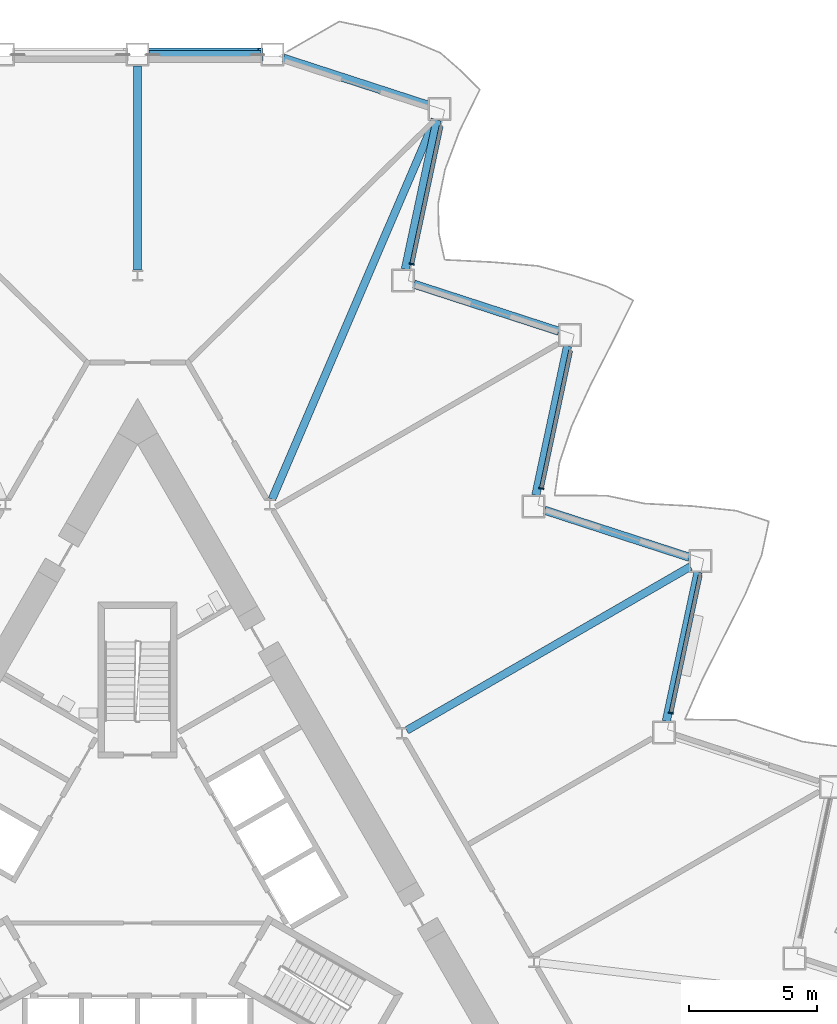
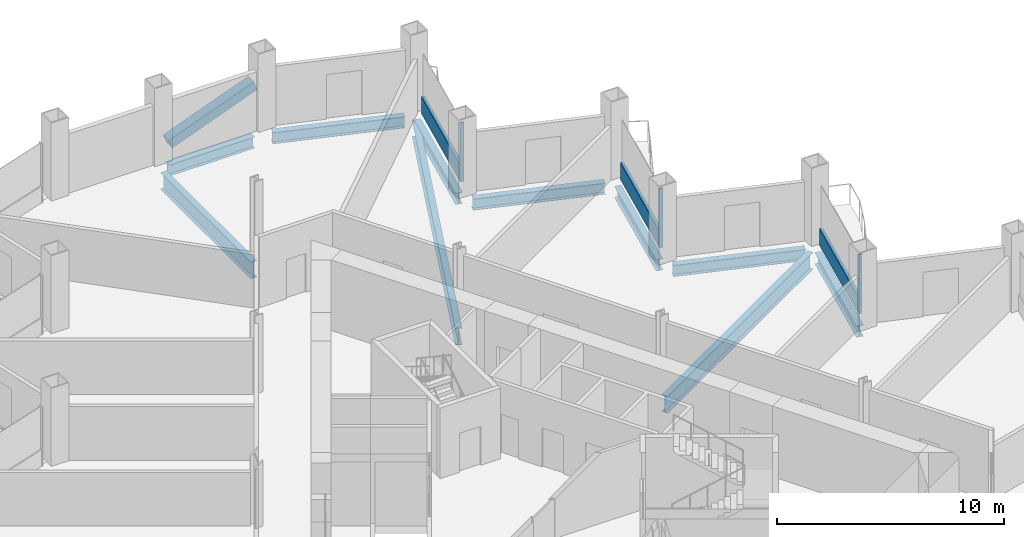
# One storey, part 8 of 21: 10 beams, 7 members, 3 elements without a shape of their own.
"""IFC4 building model written with IfcOpenShell, lengths in metres."""

from ifc_helpers import new_model, si_unit, direction, frame, origin, origin_2d, place, context, subcontext, project, spatial, rectangle, hollow_rectangle, i_section, extrude, material, layer, layer_set, material_profile, profile_set, type_object, element, aggregate, save


model = new_model("IFC4")

# Units and contexts
model_context = context("Model", 3, precision=1e-05, world=origin(), true_north=direction((0.0, 1.0)))
body_context = subcontext(model_context, "Body", "Model", "MODEL_VIEW")
ifc_project = project(units=[si_unit("LENGTHUNIT", "METRE"), si_unit("AREAUNIT", "SQUARE_METRE"), si_unit("VOLUMEUNIT", "CUBIC_METRE"), si_unit("PLANEANGLEUNIT", "RADIAN"), si_unit("MASSUNIT", "GRAM", prefix="KILO")], contexts=[model_context])

# Site, building, storey
site_placement = place(None, origin())
site = spatial("IfcSite", under=ifc_project, at=site_placement, CompositionType="ELEMENT")
building_placement = place(site_placement, origin())
building = spatial("IfcBuilding", under=site, at=building_placement, Name="Cormorant Prow Tower", CompositionType="ELEMENT")
storey_placement = place(building_placement, frame((0.0, 0.0, 141.60009765625)))
storey = spatial("IfcBuildingStorey", under=building, at=storey_placement, Name="L30", CompositionType="ELEMENT", Elevation=141.60009765625)

# Member
ifc_material_1 = material(Name="Structural steel ASTM A500 Gr C", Category="steel")
ifc_material_profile_1 = material_profile(ifc_material_1, hollow_rectangle(XDim=0.508056640625, YDim=0.508056640625, WallThickness=0.014892578125, at=origin_2d()), Name="HSS20x20x5/8")
ifc_profile_set_1 = profile_set([ifc_material_profile_1], Name="Structural steel ASTM A500 Gr C")
member_type_1 = type_object("IfcMemberType", Name="Chamfer brace HSS20x20x5/8", PredefinedType="BRACE", material=ifc_profile_set_1)
member_1_placement = place(storey_placement, frame((0.4677734375, 32.487060546875, 0.7763671875), z_axis=(0.935564597435, 0.0, 0.3531556088), x_axis=(0.0, 1.0, 0.0)))
element("IfcMember", 1, at=member_1_placement, inside=storey, type_object=member_type_1, Name="Chamfer brace BR1 at N00 L30", PredefinedType="BRACE", context=body_context, shape_type="SweptSolid", body=[
    extrude(hollow_rectangle(XDim=0.508056640625, YDim=0.508056640625, WallThickness=0.014892578125, at=origin_2d()), origin(), (0.0, 0.0, 1.0), 4.632568359375),
])

# Curtain wall, member
ifc_material_2 = material(Name="Aluminium 6063-T6", Category="aluminium")
ifc_layer = layer(ifc_material_2, 0.199951171875)
ifc_layer_set = layer_set([ifc_layer], Name="Aluminium 6063-T6")
curtain_wall_type = type_object("IfcCurtainWallType", Name="Office unitised curtain wall 200", PredefinedType="NOTDEFINED", material=ifc_layer_set)
curtain_wall_1_placement = place(storey_placement, origin())
curtain_wall_1 = element("IfcCurtainWall", 2, at=curtain_wall_1_placement, inside=storey, type_object=curtain_wall_type, Name="Office curtain wall ENE04", PredefinedType="NOTDEFINED")
ifc_material_3 = material(Name="Aluminium 6063-T6", Category="aluminium")
ifc_material_profile_2 = material_profile(ifc_material_3, rectangle(XDim=0.199951171875, YDim=0.06005859375, at=origin_2d()), Name="Office mullion 60x200")
ifc_profile_set_2 = profile_set([ifc_material_profile_2], Name="Aluminium 6063-T6")
member_type_2 = type_object("IfcMemberType", Name="Office mullion 60x200", PredefinedType="MULLION", material=ifc_profile_set_2)
member_2_placement = place(storey_placement, frame((20.846923828125, 6.759521484375, 0.0), z_axis=(0.0, 0.0, 1.0), x_axis=(-0.978147600915, 0.207911689964, 0.0)))
member_2 = element("IfcMember", 3, at=member_2_placement, type_object=member_type_2, Name="Office mullion ENE04", PredefinedType="MULLION", context=body_context, shape_type="SweptSolid", body=[
    extrude(rectangle(XDim=0.199951171875, YDim=0.06005859375, at=origin_2d()), origin(), (0.0, 0.0, 1.0), 3.188720703125),
])

curtain_wall_2_placement = place(storey_placement, origin())
curtain_wall_2 = element("IfcCurtainWall", 4, at=curtain_wall_2_placement, inside=storey, type_object=curtain_wall_type, Name="Office curtain wall ENE06", PredefinedType="NOTDEFINED")
member_3_placement = place(storey_placement, frame((15.782470703125, 15.531494140625, 0.0), z_axis=(0.0, 0.0, 1.0), x_axis=(-0.978147594572, 0.207911719806, 0.0)))
member_3 = element("IfcMember", 5, at=member_3_placement, type_object=member_type_2, Name="Office mullion ENE06", PredefinedType="MULLION", context=body_context, shape_type="SweptSolid", body=[
    extrude(rectangle(XDim=0.199951171875, YDim=0.06005859375, at=origin_2d()), origin(), (0.0, 0.0, 1.0), 3.188720703125),
])

curtain_wall_3_placement = place(storey_placement, origin())
curtain_wall_3 = element("IfcCurtainWall", 6, at=curtain_wall_3_placement, inside=storey, type_object=curtain_wall_type, Name="Office curtain wall ENE08", PredefinedType="NOTDEFINED")
member_4_placement = place(storey_placement, frame((10.7177734375, 24.303466796875, 0.0), z_axis=(0.0, 0.0, 1.0), x_axis=(-0.978147594572, 0.207911719806, 0.0)))
member_4 = element("IfcMember", 7, at=member_4_placement, type_object=member_type_2, Name="Office mullion ENE08", PredefinedType="MULLION", context=body_context, shape_type="SweptSolid", body=[
    extrude(rectangle(XDim=0.199951171875, YDim=0.06005859375, at=origin_2d()), origin(), (0.0, 0.0, 1.0), 3.188720703125),
])

# Member
ifc_material_4 = material(Name="Terracotta", Category="masonry")
ifc_material_profile_3 = material_profile(ifc_material_4, rectangle(XDim=0.159912109375, YDim=0.89990234375, at=origin_2d()), Name="Office terracotta spandrel rail 160x900")
ifc_profile_set_3 = profile_set([ifc_material_profile_3], Name="Terracotta")
member_type_3 = type_object("IfcMemberType", Name="Office terracotta spandrel rail 160x900", PredefinedType="USERDEFINED", material=ifc_profile_set_3)
member_5_placement = place(storey_placement, frame((20.85302734375, 6.788818359375, 0.449951171875), z_axis=(0.207944495364, 0.978140627337, 0.0), x_axis=(-0.978140627337, 0.207944495364, 0.0)))
member_5 = element("IfcMember", 8, at=member_5_placement, type_object=member_type_3, Name="Office spandrel rail ENE04", ObjectType="TRANSOM", PredefinedType="USERDEFINED", context=body_context, shape_type="SweptSolid", body=[
    extrude(rectangle(XDim=0.159912109375, YDim=0.89990234375, at=origin_2d()), origin(), (0.0, 0.0, 1.0), 5.48291015625),
])

aggregate(curtain_wall_1, [member_2, member_5])

member_6_placement = place(storey_placement, frame((15.78857421875, 15.560791015625, 0.449951171875), z_axis=(0.207892837643, 0.97815160791, 0.0), x_axis=(-0.97815160791, 0.207892837643, 0.0)))
member_6 = element("IfcMember", 9, at=member_6_placement, type_object=member_type_3, Name="Office spandrel rail ENE06", ObjectType="TRANSOM", PredefinedType="USERDEFINED", context=body_context, shape_type="SweptSolid", body=[
    extrude(rectangle(XDim=0.159912109375, YDim=0.89990234375, at=origin_2d()), origin(), (0.0, 0.0, 1.0), 5.483154296875),
])

aggregate(curtain_wall_2, [member_3, member_6])

member_7_placement = place(storey_placement, frame((10.72412109375, 24.332763671875, 0.449951171875), z_axis=(0.207892837643, 0.97815160791, 0.0), x_axis=(-0.97815160791, 0.207892837643, 0.0)))
member_7 = element("IfcMember", 10, at=member_7_placement, type_object=member_type_3, Name="Office spandrel rail ENE08", ObjectType="TRANSOM", PredefinedType="USERDEFINED", context=body_context, shape_type="SweptSolid", body=[
    extrude(rectangle(XDim=0.159912109375, YDim=0.89990234375, at=origin_2d()), origin(), (0.0, 0.0, 1.0), 5.483154296875),
])

aggregate(curtain_wall_3, [member_4, member_7])

# Beams
ifc_material_5 = material(Name="Structural steel ASTM A992 Gr 50", Category="steel")
ifc_material_profile_4 = material_profile(ifc_material_5, i_section(OverallWidth=0.3046875, OverallDepth=0.914794921875, WebThickness=0.0166015625, FlangeThickness=0.02587890625, at=origin_2d()), Name="W36x160")
ifc_profile_set_4 = profile_set([ifc_material_profile_4], Name="Structural steel ASTM A992 Gr 50")
beam_type_1 = type_object("IfcBeamType", Name="Radial floor beam W36x160", PredefinedType="BEAM", material=ifc_profile_set_4)
beam_1_placement = place(storey_placement, frame((0.0, 24.070068359375, -0.857421875), z_axis=(0.0, 1.0, 0.0), x_axis=(-1.0, 0.0, 0.0)))
element("IfcBeam", 11, at=beam_1_placement, inside=storey, type_object=beam_type_1, Name="Radial floor beam FB1 1 L30", PredefinedType="BEAM", context=body_context, shape_type="SweptSolid", body=[
    extrude(i_section(OverallWidth=0.3046875, OverallDepth=0.914794921875, WebThickness=0.0166015625, FlangeThickness=0.02587890625, at=origin_2d()), origin(), (0.0, 0.0, 1.0), 7.966796875),
])
beam_2_placement = place(storey_placement, frame((10.516845703125, 6.07177734375, -0.857421875), z_axis=(0.866021760006, 0.500006311156, 0.0), x_axis=(-0.500006311156, 0.866021760006, 0.0)))
element("IfcBeam", 12, at=beam_2_placement, inside=storey, type_object=beam_type_1, Name="Radial floor beam FB1 11 L30", PredefinedType="BEAM", context=body_context, shape_type="SweptSolid", body=[
    extrude(i_section(OverallWidth=0.3046875, OverallDepth=0.914794921875, WebThickness=0.0166015625, FlangeThickness=0.02587890625, at=origin_2d()), origin(), (0.0, 0.0, 1.0), 12.805419921875),
])
beam_3_placement = place(storey_placement, frame((5.25, 15.107666015625, -0.857421875), z_axis=(0.394273140268, 0.918993302948, 0.0), x_axis=(-0.918993302948, 0.394273140268, 0.0)))
element("IfcBeam", 13, at=beam_3_placement, inside=storey, type_object=beam_type_1, Name="Radial floor beam FB1 12 L30", PredefinedType="BEAM", context=body_context, shape_type="SweptSolid", body=[
    extrude(i_section(OverallWidth=0.3046875, OverallDepth=0.914794921875, WebThickness=0.0166015625, FlangeThickness=0.02587890625, at=origin_2d()), origin(), (0.0, 0.0, 1.0), 16.153564453125),
])
ifc_material_6 = material(Name="Structural steel ASTM A992 Gr 50", Category="steel")
ifc_material_profile_5 = material_profile(ifc_material_6, i_section(OverallWidth=0.32373046875, OverallDepth=0.611083984375, WebThickness=0.0126953125, FlangeThickness=0.01904296875, at=origin_2d()), Name="W24x104")
ifc_profile_set_5 = profile_set([ifc_material_profile_5], Name="Structural steel ASTM A992 Gr 50")
beam_type_2 = type_object("IfcBeamType", Name="Spandrel beam W24x104", PredefinedType="SPANDREL", material=ifc_profile_set_5)
beam_4_placement = place(storey_placement, frame((20.6630859375, 6.427001953125, -0.70556640625), z_axis=(0.207912620873, 0.978147403044, 0.0), x_axis=(-0.978147403044, 0.207912620873, 0.0)))
element("IfcBeam", 14, at=beam_4_placement, inside=storey, type_object=beam_type_2, Name="Spandrel beam SB1 ENE04-ENE05 L30", PredefinedType="SPANDREL", context=body_context, shape_type="SweptSolid", body=[
    extrude(i_section(OverallWidth=0.32373046875, OverallDepth=0.611083984375, WebThickness=0.0126953125, FlangeThickness=0.01904296875, at=origin_2d()), origin(), (0.0, 0.0, 1.0), 5.962890625),
])
for number, where, z_axis, x_axis, name in (
    (15, (21.568359375, 12.838623046875, -0.70556640625), (-0.951059340519, 0.309008302174, 0.0), (-0.309008302174, -0.951059340519, 0.0), "Spandrel beam SB1 ENE05-ENE06 L30"),
    (16, (15.56298828125, 15.260498046875, -0.70556640625), (0.207920947907, 0.978145633033, 0.0), (-0.978145633033, 0.207920947907, 0.0), "Spandrel beam SB1 ENE06-ENE07 L30"),
):
    element("IfcBeam", number, at=place(storey_placement, frame(where, z_axis=z_axis, x_axis=x_axis)), inside=storey, type_object=beam_type_2, Name=name, PredefinedType="SPANDREL", context=body_context, shape_type="SweptSolid", body=[
        extrude(i_section(OverallWidth=0.32373046875, OverallDepth=0.611083984375, WebThickness=0.0126953125, FlangeThickness=0.01904296875, at=origin_2d()), origin(), (0.0, 0.0, 1.0), 5.962646484375),
    ])
beam_5_placement = place(storey_placement, frame((16.468505859375, 21.671875, -0.70556640625), z_axis=(-0.95104730696, 0.309045336358, 0.0), x_axis=(-0.309045336358, -0.95104730696, 0.0)))
element("IfcBeam", 17, at=beam_5_placement, inside=storey, type_object=beam_type_2, Name="Spandrel beam SB1 ENE07-ENE08 L30", PredefinedType="SPANDREL", context=body_context, shape_type="SweptSolid", body=[
    extrude(i_section(OverallWidth=0.32373046875, OverallDepth=0.611083984375, WebThickness=0.0126953125, FlangeThickness=0.01904296875, at=origin_2d()), origin(), (0.0, 0.0, 1.0), 5.962890625),
])
beam_6_placement = place(storey_placement, frame((10.463134765625, 24.09375, -0.70556640625), z_axis=(0.207920947907, 0.978145633033, 0.0), x_axis=(-0.978145633033, 0.207920947907, 0.0)))
element("IfcBeam", 18, at=beam_6_placement, inside=storey, type_object=beam_type_2, Name="Spandrel beam SB1 ENE08-ENE09 L30", PredefinedType="SPANDREL", context=body_context, shape_type="SweptSolid", body=[
    extrude(i_section(OverallWidth=0.32373046875, OverallDepth=0.611083984375, WebThickness=0.0126953125, FlangeThickness=0.01904296875, at=origin_2d()), origin(), (0.0, 0.0, 1.0), 5.962646484375),
])
beam_7_placement = place(storey_placement, frame((11.368408203125, 30.50537109375, -0.70556640625), z_axis=(-0.951055430656, 0.309020335608, 0.0), x_axis=(-0.309020335608, -0.951055430656, 0.0)))
element("IfcBeam", 19, at=beam_7_placement, inside=storey, type_object=beam_type_2, Name="Spandrel beam SB1 ENE09-N00 L30", PredefinedType="SPANDREL", context=body_context, shape_type="SweptSolid", body=[
    extrude(i_section(OverallWidth=0.32373046875, OverallDepth=0.611083984375, WebThickness=0.0126953125, FlangeThickness=0.01904296875, at=origin_2d()), origin(), (0.0, 0.0, 1.0), 5.96240234375),
])
beam_8_placement = place(storey_placement, frame((4.819580078125, 32.487060546875, -0.70556640625), z_axis=(-1.0, 0.0, 0.0), x_axis=(0.0, -1.0, 0.0)))
element("IfcBeam", 20, at=beam_8_placement, inside=storey, type_object=beam_type_2, Name="Spandrel beam SB1 N00-N01 L30", PredefinedType="SPANDREL", context=body_context, shape_type="SweptSolid", body=[
    extrude(i_section(OverallWidth=0.32373046875, OverallDepth=0.611083984375, WebThickness=0.0126953125, FlangeThickness=0.01904296875, at=origin_2d()), origin(), (0.0, 0.0, 1.0), 4.36962890625),
])

save(model, "model.ifc")
